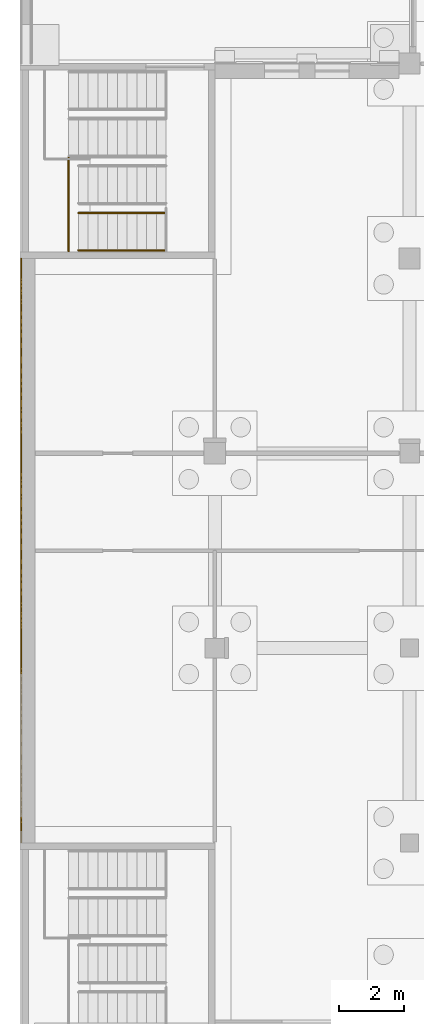
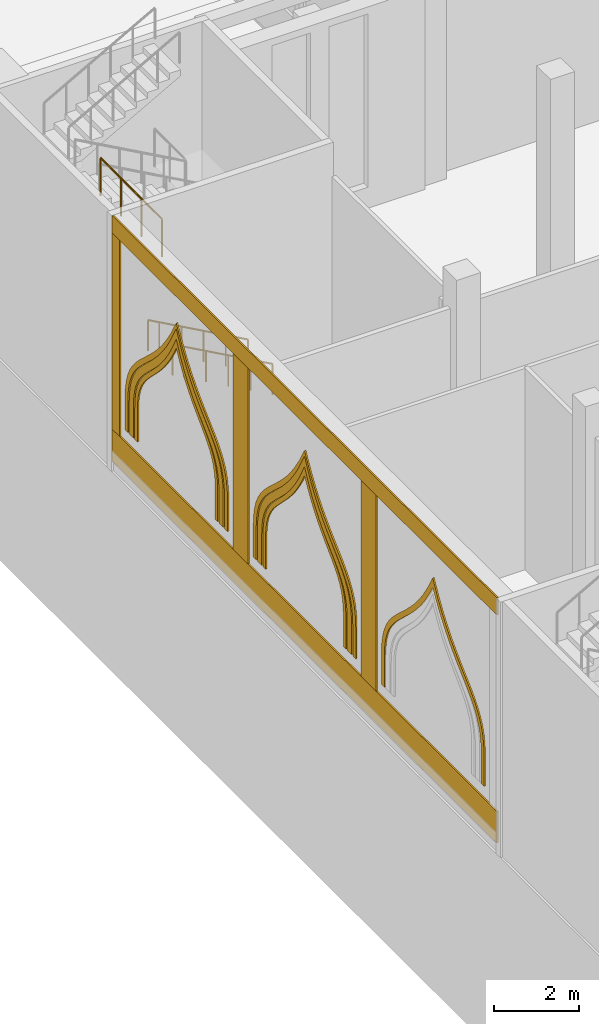
# One storey, part 61 of 95: 12 coverings, 3 railings.
"""IFC4 building model written with IfcOpenShell, lengths in metres."""

import ifcopenshell
import ifcopenshell.guid

model = None  # the IFC model being written
_history = None  # IfcOwnerHistory: only IFC2X3 demands one
_inside = {}  # id of a spatial element -> (the spatial element, [elements in it])
_under = {}  # id of a project, library or spatial element -> (it, [spatial elements below it])
_declared = {}  # id of a project -> (the project, [libraries it declares])
_typed = {}  # id of a type object -> (the type object, [elements of that type])
_made_of = {}  # id of a material, layer set ... -> (it, [elements and type objects made of it])


def new_model(schema):
    """Start an empty IFC model of exactly this schema.

    Asked for "IFC4X3", IfcOpenShell would pick the latest addendum, in which some entities
    have other attributes; the version numbers below select the first issue.
    IFC2X3 requires an IfcOwnerHistory on every rooted entity: one is made here for all.
    """
    global model, _history
    if schema == "IFC4X3":
        model = ifcopenshell.file(schema_version=(4, 3, 0, 0))
    else:
        model = ifcopenshell.file(schema=schema)
    _inside.clear()
    _under.clear()
    _declared.clear()
    _typed.clear()
    _made_of.clear()
    _history = None
    if model.schema == "IFC2X3":
        org = make("IfcOrganization", Name="unknown")
        user = make(
            "IfcPersonAndOrganization",
            ThePerson=make("IfcPerson", FamilyName="unknown"),
            TheOrganization=org,
        )
        app = make(
            "IfcApplication",
            ApplicationDeveloper=org,
            Version="unknown",
            ApplicationFullName="unknown",
            ApplicationIdentifier="unknown",
        )
        _history = make(
            "IfcOwnerHistory",
            OwningUser=user,
            OwningApplication=app,
            ChangeAction="ADDED",
            CreationDate=0,
        )
    return model


def make(cls, **values):
    """One entity of the class cls with the attributes given. An attribute that is None is left unset."""
    return model.create_entity(
        cls, **{name: value for name, value in values.items() if value is not None}
    )


def rooted(cls, **values):
    """An entity with a GlobalId (a new one), such as an element, a storey or a relation."""
    return make(cls, GlobalId=ifcopenshell.guid.new(), OwnerHistory=_history, **values)


def si_unit(unit_type, name, prefix=None):
    """IfcSIUnit, for example si_unit("LENGTHUNIT", "METRE", prefix="MILLI")."""
    return make("IfcSIUnit", UnitType=unit_type, Prefix=prefix, Name=name)


def assignment(units):
    """IfcUnitAssignment: the units of a project."""
    return None if units is None else make("IfcUnitAssignment", Units=units)


def point(xyz):
    """IfcCartesianPoint."""
    return None if xyz is None else make("IfcCartesianPoint", Coordinates=xyz)


def direction(xyz):
    """IfcDirection."""
    return None if xyz is None else make("IfcDirection", DirectionRatios=xyz)


def frame(location, z_axis=None, x_axis=None):
    """IfcAxis2Placement3D, a coordinate frame: its origin and axes. An axis left out is left unset."""
    return make(
        "IfcAxis2Placement3D",
        Location=point(location),
        Axis=direction(z_axis),
        RefDirection=direction(x_axis),
    )


def frame_2d(location, x_axis=None):
    """IfcAxis2Placement2D, a coordinate frame in the plane: its origin and x axis."""
    return make(
        "IfcAxis2Placement2D", Location=point(location), RefDirection=direction(x_axis)
    )


def origin():
    """The frame at (0, 0, 0) with its axes left unset."""
    return frame((0.0, 0.0, 0.0))


def origin_2d():
    """The frame at (0, 0) in the plane with its x axis left unset."""
    return frame_2d((0.0, 0.0))


def place(relative_to, where):
    """IfcLocalPlacement: puts the frame where relative to a parent placement (None: the world)."""
    return make(
        "IfcLocalPlacement", PlacementRelTo=relative_to, RelativePlacement=where
    )


def context(
    kind, dimensions, precision=None, world=None, true_north=None, identifier=None
):
    """IfcGeometricRepresentationContext, for example the 3D "Model" context."""
    return make(
        "IfcGeometricRepresentationContext",
        ContextIdentifier=identifier,
        ContextType=kind,
        CoordinateSpaceDimension=dimensions,
        Precision=precision,
        WorldCoordinateSystem=world,
        TrueNorth=true_north,
    )


def subcontext(parent, identifier, kind, view, scale=None):
    """IfcGeometricRepresentationSubContext, for example "Body" below "Model"."""
    return make(
        "IfcGeometricRepresentationSubContext",
        ContextIdentifier=identifier,
        ContextType=kind,
        ParentContext=parent,
        TargetScale=scale,
        TargetView=view,
    )


def project(units=None, contexts=None):
    """IfcProject with its units and contexts."""
    return rooted(
        "IfcProject",
        Name="project",
        RepresentationContexts=contexts,
        UnitsInContext=assignment(units),
    )


def spatial(cls, under=None, at=None, **own):
    """A site, building, storey or space (cls), placed at a placement, below another one or the project."""
    s = rooted(cls, ObjectPlacement=at, **own)
    if under is not None:
        _under.setdefault(under.id(), (under, []))[1].append(s)
    return s


def polyline(points):
    """IfcPolyline through the points."""
    return make("IfcPolyline", Points=[point(p) for p in points])


def profile(cls, at=None, kind="AREA", **sizes):
    """A parametric profile (cls). Its sizes go by their IFC names, for example OverallWidth=200.0."""
    return make(cls, ProfileType=kind, Position=at, **sizes)


def rectangle(**sizes):
    """IfcRectangleProfileDef."""
    return profile("IfcRectangleProfileDef", **sizes)


def circle(**sizes):
    """IfcCircleProfileDef."""
    return profile("IfcCircleProfileDef", **sizes)


def outline(outer, holes=None, kind="AREA"):
    """IfcArbitraryClosedProfileDef: a profile drawn as a closed curve; with holes, ...WithVoids."""
    if holes is None:
        return make("IfcArbitraryClosedProfileDef", ProfileType=kind, OuterCurve=outer)
    return make(
        "IfcArbitraryProfileDefWithVoids",
        ProfileType=kind,
        OuterCurve=outer,
        InnerCurves=holes,
    )


def extrude(swept, where, along, depth):
    """IfcExtrudedAreaSolid: the profile swept, set in the frame where, extruded along a direction by depth."""
    return make(
        "IfcExtrudedAreaSolid",
        SweptArea=swept,
        Position=where,
        ExtrudedDirection=direction(along),
        Depth=depth,
    )


def shape(context_of_items, identifier, shape_type, items):
    """IfcShapeRepresentation: the items that make up one representation, for example the "Body"."""
    return make(
        "IfcShapeRepresentation",
        ContextOfItems=context_of_items,
        RepresentationIdentifier=identifier,
        RepresentationType=shape_type,
        Items=items,
    )


def material(Name=None, Category=None):
    """IfcMaterial."""
    return make("IfcMaterial", Name=Name, Category=Category)


def layer(
    of_material, thickness, ventilated=None, Name=None, Category=None, Priority=None
):
    """IfcMaterialLayer: one layer of a wall or slab, of a material (None: an air gap)."""
    return make(
        "IfcMaterialLayer",
        Material=of_material,
        LayerThickness=thickness,
        IsVentilated=ventilated,
        Name=Name,
        Category=Category,
        Priority=Priority,
    )


def layer_set(layers, Name=None):
    """IfcMaterialLayerSet."""
    return make("IfcMaterialLayerSet", MaterialLayers=layers, LayerSetName=Name)


def made_of(thing, what):
    """Note that an element or type object is made of a material, layer set ...; save() writes the relation."""
    if what is not None:
        _made_of.setdefault(what.id(), (what, []))[1].append(thing)
    return thing


def type_object(cls, material=None, **own):
    """A type object (cls), such as IfcWallType, which elements share."""
    return made_of(rooted(cls, **own), material)


def element(
    cls,
    number,
    at=None,
    inside=None,
    cuts=None,
    type_object=None,
    material=None,
    context=None,
    identifier="Body",
    shape_type=None,
    held_by="IfcProductDefinitionShape",
    body=None,
    shapes=None,
    **own,
):
    """One element of the class cls, such as IfcWall. Its Tag is "e" and its number.

    at: its placement. inside: the storey or other place that contains it. cuts: it is an
    opening in that element (IfcRelVoidsElement). A single representation is given by context,
    identifier, shape_type and body (its items); several are given by shapes. held_by: the class
    of the entity that holds the representations. save() writes the other relations.
    """
    e = rooted(cls, Tag="e%d" % number, ObjectPlacement=at, **own)
    if body is not None:
        shapes = [shape(context, identifier, shape_type, body)]
    if shapes is not None:
        e.Representation = make(held_by, Representations=shapes)
    if inside is not None:
        _inside.setdefault(inside.id(), (inside, []))[1].append(e)
    if cuts is not None:
        rooted(
            "IfcRelVoidsElement", RelatingBuildingElement=cuts, RelatedOpeningElement=e
        )
    if type_object is not None:
        _typed.setdefault(type_object.id(), (type_object, []))[1].append(e)
    return made_of(e, material)


def aggregate(whole, parts):
    """IfcRelAggregates: a whole, such as a stair, and the parts it consists of."""
    return rooted("IfcRelAggregates", RelatingObject=whole, RelatedObjects=parts)


def save(model, path):
    """Write the relations noted so far, then the file.

    IfcRelAggregates (storeys below a building ...), IfcRelContainedInSpatialStructure (elements
    in a storey), IfcRelDefinesByType, IfcRelAssociatesMaterial and IfcRelDeclares: one each for
    every whole, place, type object, material and project.
    """
    for whole, parts in _under.values():
        aggregate(whole, parts)
    for where, things in _inside.values():
        rooted(
            "IfcRelContainedInSpatialStructure",
            RelatedElements=things,
            RelatingStructure=where,
        )
    for kind, things in _typed.values():
        rooted("IfcRelDefinesByType", RelatedObjects=things, RelatingType=kind)
    for what, things in _made_of.values():
        rooted("IfcRelAssociatesMaterial", RelatedObjects=things, RelatingMaterial=what)
    for by, libraries in _declared.values():
        rooted("IfcRelDeclares", RelatingContext=by, RelatedDefinitions=libraries)
    model.write(path)


model = new_model("IFC4")

# Units and contexts
model_context = context("Model", 3, precision=1e-05, world=origin(), true_north=direction((0.0, 1.0)))
body_context = subcontext(model_context, "Body", "Model", "MODEL_VIEW")
ifc_project = project(units=[si_unit("LENGTHUNIT", "METRE"), si_unit("AREAUNIT", "SQUARE_METRE"), si_unit("VOLUMEUNIT", "CUBIC_METRE"), si_unit("PLANEANGLEUNIT", "RADIAN"), si_unit("MASSUNIT", "GRAM", prefix="KILO")], contexts=[model_context])

# Site, building, storey
site_placement = place(None, origin())
site = spatial("IfcSite", under=ifc_project, at=site_placement, CompositionType="ELEMENT")
building_placement = place(site_placement, origin())
building = spatial("IfcBuilding", under=site, at=building_placement, Name="Saffron Lane Theatres", CompositionType="ELEMENT")
storey_placement = place(building_placement, origin())
storey = spatial("IfcBuildingStorey", under=building, at=storey_placement, Name="L00", CompositionType="ELEMENT", Elevation=0.0)

# Coverings
ifc_material_1 = material(Name="Face brick cladding, pale buff", Category="masonry")
ifc_layer_1 = layer(ifc_material_1, 0.0400390625)
ifc_layer_set_1 = layer_set([ifc_layer_1], Name="Face brick cladding, pale buff")
covering_type_1 = type_object("IfcCoveringType", Name="EX-FACE BRICK SKIN PALE BUFF 40", PredefinedType="CLADDING", material=ifc_layer_set_1)
covering_1_placement = place(storey_placement, frame((0.0400390625, 15.0, 0.0), z_axis=(0.0, 0.0, 1.0), x_axis=(0.0, 1.0, 0.0)))
element("IfcCovering", 1, at=covering_1_placement, inside=storey, type_object=covering_type_1, Name="Face brick cladding, pale buff L00", PredefinedType="CLADDING", context=body_context, shape_type="SweptSolid", body=[
    extrude(rectangle(XDim=18.0, YDim=0.0400390625, at=origin_2d()), origin(), (0.0, 0.0, 1.0), 0.89990234375),
])
covering_2_placement = place(storey_placement, frame((0.0400390625, 15.0, 6.5), z_axis=(0.0, 0.0, 1.0), x_axis=(0.0, 1.0, 0.0)))
element("IfcCovering", 2, at=covering_2_placement, inside=storey, type_object=covering_type_1, Name="Face brick cladding, pale buff L00", PredefinedType="CLADDING", context=body_context, shape_type="SweptSolid", body=[
    extrude(rectangle(XDim=18.0, YDim=0.0400390625, at=origin_2d()), origin(), (0.0, 0.0, 1.0), 0.5),
])
for number, where, z_axis, x_axis, name in (
    (3, (0.0400390625, 12.0, 0.89990234375), (0.0, 0.0, 1.0), (0.0, 1.0, 0.0), "Face brick cladding, pale buff L00"),
    (4, (0.0400390625, 18.0, 0.89990234375), (0.0, 0.0, 1.0), (0.0, 1.0, 0.0), "Face brick cladding, pale buff L00"),
):
    element("IfcCovering", number, at=place(storey_placement, frame(where, z_axis=z_axis, x_axis=x_axis)), inside=storey, type_object=covering_type_1, Name=name, PredefinedType="CLADDING", context=body_context, shape_type="SweptSolid", body=[
        extrude(rectangle(XDim=0.699951171875, YDim=0.0400390625, at=origin_2d()), origin(), (0.0, 0.0, 1.0), 5.60009765625),
    ])
covering_3_placement = place(storey_placement, frame((0.0400390625, 23.824951171875, 0.89990234375), z_axis=(0.0, 0.0, 1.0), x_axis=(0.0, 1.0, 0.0)))
element("IfcCovering", 5, at=covering_3_placement, inside=storey, type_object=covering_type_1, Name="Face brick cladding, pale buff L00", PredefinedType="CLADDING", context=body_context, shape_type="SweptSolid", body=[
    extrude(rectangle(XDim=0.35009765625, YDim=0.0400390625, at=origin_2d()), origin(), (0.0, 0.0, 1.0), 5.60009765625),
])
ifc_material_2 = material(Name="Face brick cladding, pale buff", Category="masonry")
ifc_layer_2 = layer(ifc_material_2, 0.0400390625)
ifc_layer_set_2 = layer_set([ifc_layer_2], Name="Face brick cladding, pale buff")
covering_type_2 = type_object("IfcCoveringType", Name="EX-NICHE FRAME RING FACE BRICK PALE BUFF", PredefinedType="CLADDING", material=ifc_layer_set_2)
covering_4_placement = place(storey_placement, frame((0.06005859375, 6.614990234375, 2.430908203125), z_axis=(1.0, 0.0, 0.0), x_axis=(0.0, -0.053339022878, -0.998576461088)))
element("IfcCovering", 6, at=covering_4_placement, inside=storey, type_object=covering_type_2, Name="Court wall niche ring", PredefinedType="CLADDING", context=body_context, shape_type="SweptSolid", body=[
    extrude(outline(polyline([(0.0, 0.0), (0.279206054433033, 1.734723475976807e-18), (1.1800214899113242, 0.04811711170243062), (1.1725597564862922, 0.18781054729892882), (0.2758888033904452, 0.13991481337699654), (0.00843690575031283, 0.1395647077260638), (-0.2243790825388541, 0.1682029230142515), (-0.43069185957335676, 0.2224611867047201), (-0.6160305328892671, 0.30057722919475627), (-0.7875656504799877, 0.3994786599183698), (-0.9511091796300574, 0.5181215662944259), (-1.1105357651958356, 0.6558100066021676), (-1.2729508440588138, 0.808252624869004), (-1.4431391222887202, 0.9734824250780479), (-1.624692384993448, 1.1500851084869645), (-1.8237799633963538, 1.3345527872566518), (-2.047341634631902, 1.5240698861248223), (-2.297863789258882, 1.7148362644254675), (-2.5814152098655345, 1.9060387804363907), (-2.9039214345938964, 2.0941825685408717), (-3.1580496774254834, 2.2197223427612474), (-2.918740723664902, 2.371619095083306), (-2.618111832538728, 2.59304768359683), (-2.356541923313321, 2.8133678888544744), (-2.1277668800647063, 3.029735956358632), (-1.9256658313151134, 3.241989855506219), (-1.7473617198342861, 3.4466159345236367), (-1.5856543240401142, 3.6415539070467675), (-1.4340357349273027, 3.8239730408003876), (-1.288783945164136, 3.9928497037136292), (-1.1449319375675344, 4.146737788664896), (-0.9949575641397739, 4.282127273024531), (-0.8349340911349664, 4.3987389261880105), (-0.6589714179342793, 4.496153902248548), (-0.45961250765190054, 4.572081143983088), (-0.2311719860831712, 4.6253574040185015), (0.03479537820538417, 4.653499920939942), (0.9314663313012312, 4.701395654861874), (0.9240045978761993, 4.8410890904583725), (0.023189162397908192, 4.792971978755942), (-0.2544281809044897, 4.763229222834872), (-0.5007531238223298, 4.706063801367329), (-0.7175963957039121, 4.623334903447199), (-0.9104907332292509, 4.517925350239234), (-1.0838634785292576, 4.390332120984516), (-1.242454507072017, 4.2469032288758095), (-1.3931030473568784, 4.087517844767733), (-1.5410589763153895, 3.91434043280346), (-1.693600648863953, 3.73089403783503), (-1.8534228111194742, 3.537279208497558), (-2.0299719112854735, 3.336414203479002), (-2.2261995107825587, 3.1286303422734156), (-2.4491401714458125, 2.9174636919552195), (-2.705132513389561, 2.7025756747424743), (-2.9980417883917236, 2.487671646600571), (-3.441581031000924, 2.204577498130685), (-2.9704086324965795, 1.9703427280390193), (-2.6562731350113418, 1.7878640336289293), (-2.3788462150264023, 1.6014686389885575), (-2.1346793318800734, 1.4152525667547606), (-1.9174338654580296, 1.2295543947094778), (-1.7204919650414197, 1.048639434380536), (-1.540954158099165, 0.8731515385991627), (-1.3697386186544482, 0.7069986549543668), (-1.204176645035129, 0.5505678209736735), (-1.0374065934410366, 0.4081373704072918), (-0.864439031388268, 0.28241870073845177), (-0.6784607748222391, 0.1740202272751767), (-0.4754351482835062, 0.08975876321599356), (-0.25101294297545185, 0.03060008780774376), (0.0, 0.0)])), origin(), (0.0, 0.0, -1.0), 0.0400390625),
])
covering_5_placement = place(storey_placement, frame((0.06005859375, 13.072021484375, 2.39404296875), z_axis=(1.0, 0.0, 0.0), x_axis=(0.0, -0.049137358924, -0.998792030384)))
element("IfcCovering", 7, at=covering_5_placement, inside=storey, type_object=covering_type_2, Name="Court wall niche ring", PredefinedType="CLADDING", context=body_context, shape_type="SweptSolid", body=[
    extrude(outline(polyline([(0.0, 0.0), (0.2434581525511307, -1.734723475976807e-18), (1.1432488244543841, 0.04426681016391508), (1.137358579524714, 0.16399505404047265), (0.24049405614797534, 0.11987220098278169), (0.007033577729103016, 0.1203640544290474), (-0.1962583387604046, 0.14360602715893483), (-0.37560171753947574, 0.18684775500352957), (-0.5368488556611398, 0.24980132375038339), (-0.6850005487916107, 0.3297763513581751), (-0.8268604839750515, 0.4259492464912962), (-0.9645273012021993, 0.5362612756357352), (-1.1047806946661802, 0.659401156034798), (-1.2514382207570491, 0.7934700249063853), (-1.4085252922988492, 0.9358254859112508), (-1.580103311392178, 1.0845566798417767), (-1.7729039865280876, 1.2373769410990973), (-1.989745498403424, 1.3919477011821022), (-2.2357006212375135, 1.5470416523127277), (-2.5144789435907433, 1.698565320313989), (-2.7265625262103663, 1.7961721555341075), (-2.525083783749253, 1.914124928433901), (-2.2625246286972733, 2.0922806610866234), (-2.032932630270658, 2.2697922591364956), (-1.8323582713986466, 2.445876282549646), (-1.6554888493515392, 2.61688312489328), (-1.4993382334752277, 2.7817375147209065), (-1.3569827724703623, 2.9388245862627063), (-1.2241931142790827, 3.0866413587786963), (-1.0967039175669735, 3.2229533143972655), (-0.9705296759867175, 3.346245475952912), (-0.8387947239410392, 3.4558783605179877), (-0.6992084786309031, 3.5500091702378174), (-0.5449192673100712, 3.628486113605838), (-0.37068636580195613, 3.6891226584525136), (-0.17065747705352846, 3.7322067189902914), (0.06162735166451358, 3.7556117451772284), (0.9584918750412523, 3.7997345982349193), (0.9526016301115823, 3.919462842111477), (0.052810958208328956, 3.8751960319475622), (-0.18947154464197147, 3.851299152314359), (-0.40351152392118117, 3.804836996280526), (-0.5923670888365202, 3.738347909555811), (-0.7604994407308727, 3.653079030744135), (-0.9114543802325443, 3.551544712704208), (-1.050936330088171, 3.4354198033334438), (-1.1829667859216257, 3.3069508169289725), (-1.3132261776285068, 3.167324909967122), (-1.4459678501177116, 3.0185327546089598), (-1.5864685168423833, 2.863492420155653), (-1.7407643384385012, 2.700684767416518), (-1.913692322640197, 2.5340272413859313), (-2.108654312969553, 2.3631080463960874), (-2.332354107866413, 2.1900417360634106), (-2.5892529086736626, 2.016075448991823), (-2.984307442254198, 1.7834919337608668), (-2.5683311425690913, 1.5908085298050276), (-2.2955970600771893, 1.4428984789600046), (-2.0559900049425646, 1.292625377112813), (-1.845192732928556, 1.1416682341860458), (-1.656741374105693, 0.9927894107741371), (-1.4872100921008569, 0.8459130111238046), (-1.3321697576475495, 0.7054123443991328), (-1.1854642458546054, 0.5703680926853739), (-1.0421287503323673, 0.4442021751554778), (-0.8981258618312739, 0.32931314243814785), (-0.7479191075619507, 0.22743998658357098), (-0.5877269204108985, 0.14121310750547483), (-0.41203682043977996, 0.07285918867513211), (-0.2175189426796258, 0.024253100023604444), (0.0, 0.0)])), origin(), (0.0, 0.0, -1.0), 0.0400390625),
])
covering_6_placement = place(storey_placement, frame((0.06005859375, 12.81396484375, 2.416015625), z_axis=(1.0, 0.0, 0.0), x_axis=(0.0, -0.052850824381, -0.998602418564)))
element("IfcCovering", 8, at=covering_6_placement, inside=storey, type_object=covering_type_2, Name="Court wall niche ring", PredefinedType="CLADDING", context=body_context, shape_type="SweptSolid", body=[
    extrude(outline(polyline([(0.0, 0.0), (0.2633074467244505, 0.0), (1.1651214961065233, 0.0477283201622824), (1.1545539118370154, 0.2474000439914031), (0.2588348479198121, 0.19999429966152327), (0.011425975537206378, 0.1998577991513908), (-0.20210156873088145, 0.22474028020240072), (-0.3899079347837127, 0.27176504549653774), (-0.5587937002753489, 0.34008321126432145), (-0.7155078307266671, 0.42787069606189243), (-0.8642967823061162, 0.5322134516853781), (-1.0120772599674226, 0.6544567891326514), (-1.1623127094900663, 0.7907501716253488), (-1.3195708046608676, 0.9396294444378704), (-1.4900871060969219, 1.09880873335576), (-1.6761963837178078, 1.2662086126972976), (-1.8854937703858208, 1.437515394699492), (-2.1200444305353527, 1.6101749578767304), (-2.3866489418204653, 1.7833384184595322), (-2.689040355505825, 1.9536299354734277), (-2.8646160042079827, 2.0374853906507653), (-2.6988724668774546, 2.1394050924426464), (-2.4161452759353548, 2.3406638893671876), (-2.1693082116598714, 2.5410011380715813), (-1.9542927439206381, 2.737453894646832), (-1.76424668293041, 2.9298958451880424), (-1.596846803588872, 3.116005122808928), (-1.4440334638350705, 3.29131863620307), (-1.303420281616241, 3.456940613377808), (-1.168410411382998, 3.608330544826945), (-1.03430714901556, 3.7445145910901334), (-0.8974147941351174, 3.86495489941103), (-0.7508424478545355, 3.968793757628952), (-0.590111399406036, 4.054556824413066), (-0.40831784686918837, 4.121142588184094), (-0.1986096004567468, 4.168424735037138), (0.04743155039647204, 4.194403973918316), (0.9431506143136754, 4.241809718248196), (0.9325830300441676, 4.441481442077317), (0.030768980662094908, 4.393753121915035), (-0.23106752026659994, 4.36595998819523), (-0.46470546058718654, 4.313499650348356), (-0.6719159513963089, 4.237500784234314), (-0.8559587063687718, 4.139502246350417), (-1.020915158668237, 4.022710780024254), (-1.1723424410032313, 3.890499509802235), (-1.3147450702081254, 3.7448303758523798), (-1.4536414698915574, 3.5883451044653136), (-1.596192144425849, 3.422376103605612), (-1.7461315032896978, 3.2481926242854025), (-1.9096577562143424, 3.0674224860210404), (-2.0932000093163197, 2.881436805876991), (-2.300531381174216, 2.6922362331211653), (-2.536527860159927, 2.499562707087641), (-2.809864359290527, 2.3056464152155973), (-3.2820006088422375, 2.015395397647838), (-2.781864777037985, 1.7766016768649355), (-2.489586625028707, 1.6126204222398495), (-2.234571074964541, 1.4459336052646754), (-2.008427080560928, 1.2796746257093192), (-1.806278653445971, 1.1141015442397035), (-1.6245849296404142, 0.9516021011226222), (-1.4570974454938663, 0.7942183711539379), (-1.297824439807826, 0.6442233255148111), (-1.1431863395031492, 0.5032733062162519), (-0.9862032826736595, 0.3734490971540108), (-0.8216665185098254, 0.25796015808373945), (-0.6453037847766058, 0.15923293837212055), (-0.45194503976435696, 0.08120829603058993), (-0.23787013524170816, 0.02750587145221218), (0.0, 0.0)])), origin(), (0.0, 0.0, -1.0), 0.0400390625),
])
covering_7_placement = place(storey_placement, frame((0.06005859375, 12.614990234375, 2.430908203125), z_axis=(1.0, 0.0, 0.0), x_axis=(0.0, -0.053339022878, -0.998576461088)))
element("IfcCovering", 9, at=covering_7_placement, inside=storey, type_object=covering_type_2, Name="Court wall niche ring", PredefinedType="CLADDING", context=body_context, shape_type="SweptSolid", body=[
    extrude(outline(polyline([(0.0, 0.0), (0.279206054433033, 1.734723475976807e-18), (1.1800214899113242, 0.04811711170243062), (1.1725597564862922, 0.18781054729892882), (0.2758888033904452, 0.13991481337699654), (0.00843690575031283, 0.1395647077260638), (-0.2243790825388541, 0.1682029230142515), (-0.43069185957335676, 0.2224611867047201), (-0.6160305328892671, 0.30057722919475627), (-0.7875656504799877, 0.3994786599183698), (-0.9511091796300574, 0.5181215662944259), (-1.1105357651958356, 0.6558100066021676), (-1.2729508440588138, 0.808252624869004), (-1.4431391222887202, 0.9734824250780479), (-1.624692384993448, 1.1500851084869645), (-1.8237799633963538, 1.3345527872566518), (-2.047341634631902, 1.5240698861248223), (-2.297863789258882, 1.7148362644254675), (-2.5814152098655345, 1.9060387804363907), (-2.9039214345938964, 2.0941825685408717), (-3.1580496774254834, 2.2197223427612474), (-2.918740723664902, 2.371619095083306), (-2.618111832538728, 2.59304768359683), (-2.356541923313321, 2.8133678888544744), (-2.1277668800647063, 3.029735956358632), (-1.9256658313151134, 3.241989855506219), (-1.7473617198342861, 3.4466159345236367), (-1.5856543240401142, 3.6415539070467675), (-1.4340357349273027, 3.8239730408003876), (-1.288783945164136, 3.9928497037136292), (-1.1449319375675344, 4.146737788664896), (-0.9949575641397739, 4.282127273024531), (-0.8349340911349664, 4.3987389261880105), (-0.6589714179342793, 4.496153902248548), (-0.45961250765190054, 4.572081143983088), (-0.2311719860831712, 4.6253574040185015), (0.03479537820538417, 4.653499920939942), (0.9314663313012312, 4.701395654861874), (0.9240045978761993, 4.8410890904583725), (0.023189162397908192, 4.792971978755942), (-0.2544281809044897, 4.763229222834872), (-0.5007531238223298, 4.706063801367329), (-0.7175963957039121, 4.623334903447199), (-0.9104386443397219, 4.516950177913953), (-1.0838634785292576, 4.390332120984516), (-1.242454507072017, 4.2469032288758095), (-1.3930509584673494, 4.086542672442452), (-1.5410589763153895, 3.91434043280346), (-1.693600648863953, 3.73089403783503), (-1.8534228111194742, 3.537279208497558), (-2.0299719112854735, 3.336414203479002), (-2.2261995107825587, 3.1286303422734156), (-2.4491401714458125, 2.9174636919552195), (-2.705132513389561, 2.7025756747424743), (-2.9980417883917236, 2.487671646600571), (-3.441581031000924, 2.204577498130685), (-2.9704086324965795, 1.9703427280390193), (-2.6562731350113418, 1.7878640336289293), (-2.3788462150264023, 1.6014686389885575), (-2.1346793318800734, 1.4152525667547606), (-1.9174338654580296, 1.2295543947094778), (-1.7204919650414197, 1.048639434380536), (-1.540954158099165, 0.8731515385991627), (-1.3697386186544482, 0.7069986549543668), (-1.204176645035129, 0.5505678209736735), (-1.0374065934410366, 0.4081373704072918), (-0.864439031388268, 0.28241870073845177), (-0.6784607748222391, 0.1740202272751767), (-0.4754351482835062, 0.08975876321599356), (-0.25101294297545185, 0.03060008780774376), (0.0, 0.0)])), origin(), (0.0, 0.0, -1.0), 0.0400390625),
])
covering_8_placement = place(storey_placement, frame((0.06005859375, 19.072021484375, 2.39404296875), z_axis=(1.0, 0.0, 0.0), x_axis=(0.0, -0.049137358924, -0.998792030384)))
element("IfcCovering", 10, at=covering_8_placement, inside=storey, type_object=covering_type_2, Name="Court wall niche ring", PredefinedType="CLADDING", context=body_context, shape_type="SweptSolid", body=[
    extrude(outline(polyline([(0.0, 0.0), (0.2434581525511307, -1.734723475976807e-18), (1.1432488244543841, 0.04426681016391508), (1.137358579524714, 0.16399505404047265), (0.24049405614797534, 0.11987220098278169), (0.007033577729103016, 0.1203640544290474), (-0.1962583387604046, 0.14360602715893483), (-0.37560171753947574, 0.18684775500352957), (-0.5368488556611398, 0.24980132375038339), (-0.6850005487916107, 0.3297763513581751), (-0.8268604839750515, 0.4259492464912962), (-0.9645273012021993, 0.5362612756357352), (-1.1047806946661802, 0.659401156034798), (-1.2514382207570491, 0.7934700249063853), (-1.4085252922988492, 0.9358254859112508), (-1.580103311392178, 1.0845566798417767), (-1.7729039865280876, 1.2373769410990973), (-1.9897934841054987, 1.3929230840242737), (-2.2357006212375135, 1.5470416523127277), (-2.5144789435907433, 1.698565320313989), (-2.7265625262103663, 1.7961721555341075), (-2.525083783749253, 1.914124928433901), (-2.2625246286972733, 2.0922806610866234), (-2.032932630270658, 2.2697922591364956), (-1.8323582713986466, 2.445876282549646), (-1.6554888493515392, 2.61688312489328), (-1.4993382334752277, 2.7817375147209065), (-1.3569827724703623, 2.9388245862627063), (-1.2241931142790827, 3.0866413587786963), (-1.0967039175669735, 3.2229533143972655), (-0.9705296759867175, 3.346245475952912), (-0.8387947239410392, 3.4558783605179877), (-0.6992084786309031, 3.5500091702378174), (-0.5449192673100712, 3.628486113605838), (-0.37068636580195613, 3.6891226584525136), (-0.17065747705352846, 3.7322067189902914), (0.06162735166451358, 3.7556117451772284), (0.9584918750412523, 3.7997345982349193), (0.9526016301115823, 3.919462842111477), (0.052810958208328956, 3.8751960319475622), (-0.18947154464197147, 3.851299152314359), (-0.40351152392118117, 3.804836996280526), (-0.5923670888365202, 3.738347909555811), (-0.7604994407308727, 3.653079030744135), (-0.9114543802325443, 3.551544712704208), (-1.050936330088171, 3.4354198033334438), (-1.1829667859216257, 3.3069508169289725), (-1.3132261776285068, 3.167324909967122), (-1.4459678501177116, 3.0185327546089598), (-1.5864685168423833, 2.863492420155653), (-1.7407643384385012, 2.700684767416518), (-1.913692322640197, 2.5340272413859313), (-2.108654312969553, 2.3631080463960874), (-2.332354107866413, 2.1900417360634106), (-2.5892529086736626, 2.016075448991823), (-2.984307442254198, 1.7834919337608668), (-2.5683311425690913, 1.5908085298050276), (-2.2955970600771893, 1.4428984789600046), (-2.0559900049425646, 1.292625377112813), (-1.845192732928556, 1.1416682341860458), (-1.656741374105693, 0.9927894107741371), (-1.4872100921008569, 0.8459130111238046), (-1.3321697576475495, 0.7054123443991328), (-1.1854642458546054, 0.5703680926853739), (-1.0421287503323673, 0.4442021751554778), (-0.8981258618312739, 0.32931314243814785), (-0.7479191075619507, 0.22743998658357098), (-0.5876789347088237, 0.14023772466330328), (-0.41203682043977996, 0.07285918867513211), (-0.2175189426796258, 0.024253100023604444), (0.0, 0.0)])), origin(), (0.0, 0.0, -1.0), 0.0400390625),
])
covering_9_placement = place(storey_placement, frame((0.06005859375, 18.81396484375, 2.416015625), z_axis=(1.0, 0.0, 0.0), x_axis=(0.0, -0.052850824381, -0.998602418564)))
element("IfcCovering", 11, at=covering_9_placement, inside=storey, type_object=covering_type_2, Name="Court wall niche ring", PredefinedType="CLADDING", context=body_context, shape_type="SweptSolid", body=[
    extrude(outline(polyline([(0.0, 0.0), (0.2633074467244505, 0.0), (1.1651214961065233, 0.0477283201622824), (1.1545539118370154, 0.2474000439914031), (0.2588348479198121, 0.19999429966152327), (0.011425975537206378, 0.1998577991513908), (-0.20210156873088145, 0.22474028020240072), (-0.3899079347837127, 0.27176504549653774), (-0.5587937002753489, 0.34008321126432145), (-0.7155078307266671, 0.42787069606189243), (-0.8643483944393006, 0.5331886493597573), (-1.0120772599674226, 0.6544567891326514), (-1.1623127094900663, 0.7907501716253488), (-1.3195708046608676, 0.9396294444378704), (-1.4900871060969219, 1.09880873335576), (-1.6761963837178078, 1.2662086126972976), (-1.8854937703858208, 1.437515394699492), (-2.1200444305353527, 1.6101749578767304), (-2.3866489418204653, 1.7833384184595322), (-2.689040355505825, 1.9536299354734277), (-2.8646160042079827, 2.0374853906507653), (-2.6988724668774546, 2.1394050924426464), (-2.4161452759353548, 2.3406638893671876), (-2.1693082116598714, 2.5410011380715813), (-1.9542927439206381, 2.737453894646832), (-1.76424668293041, 2.9298958451880424), (-1.596846803588872, 3.116005122808928), (-1.4440334638350705, 3.29131863620307), (-1.303420281616241, 3.456940613377808), (-1.168410411382998, 3.608330544826945), (-1.03430714901556, 3.7445145910901334), (-0.8974147941351174, 3.86495489941103), (-0.7508424478545355, 3.968793757628952), (-0.590111399406036, 4.054556824413066), (-0.40831784686918837, 4.121142588184094), (-0.1986096004567468, 4.168424735037138), (0.04743155039647204, 4.194403973918316), (0.9431506143136754, 4.241809718248196), (0.9325830300441676, 4.441481442077317), (0.030768980662094908, 4.393753121915035), (-0.23106752026659994, 4.36595998819523), (-0.46470546058718654, 4.313499650348356), (-0.6719159513963089, 4.237500784234314), (-0.8559587063687718, 4.139502246350417), (-1.020915158668237, 4.022710780024254), (-1.1723424410032313, 3.890499509802235), (-1.3147450702081254, 3.7448303758523798), (-1.4536414698915574, 3.5883451044653136), (-1.596192144425849, 3.422376103605612), (-1.7461315032896978, 3.2481926242854025), (-1.9096577562143424, 3.0674224860210404), (-2.0932000093163197, 2.881436805876991), (-2.300531381174216, 2.6922362331211653), (-2.536527860159927, 2.499562707087641), (-2.809864359290527, 2.3056464152155973), (-3.2820006088422375, 2.015395397647838), (-2.781864777037985, 1.7766016768649355), (-2.489586625028707, 1.6126204222398495), (-2.234571074964541, 1.4459336052646754), (-2.008427080560928, 1.2796746257093192), (-1.806278653445971, 1.1141015442397035), (-1.6245849296404142, 0.9516021011226222), (-1.4570974454938663, 0.7942183711539379), (-1.297824439807826, 0.6442233255148111), (-1.1431863395031492, 0.5032733062162519), (-0.9862032826736595, 0.3734490971540108), (-0.8216665185098254, 0.25796015808373945), (-0.6453037847766058, 0.15923293837212055), (-0.45194503976435696, 0.08120829603058993), (-0.23787013524170816, 0.02750587145221218), (0.0, 0.0)])), origin(), (0.0, 0.0, -1.0), 0.0400390625),
])
covering_10_placement = place(storey_placement, frame((0.06005859375, 18.614990234375, 2.430908203125), z_axis=(1.0, 0.0, 0.0), x_axis=(0.0, -0.053339022878, -0.998576461088)))
element("IfcCovering", 12, at=covering_10_placement, inside=storey, type_object=covering_type_2, Name="Court wall niche ring", PredefinedType="CLADDING", context=body_context, shape_type="SweptSolid", body=[
    extrude(outline(polyline([(0.0, 0.0), (0.279206054433033, 1.734723475976807e-18), (1.1800214899113242, 0.04811711170243062), (1.1725597564862922, 0.18781054729892882), (0.2758888033904452, 0.13991481337699654), (0.00843690575031283, 0.1395647077260638), (-0.2243790825388541, 0.1682029230142515), (-0.43069185957335676, 0.2224611867047201), (-0.6160305328892671, 0.30057722919475627), (-0.7875656504799877, 0.3994786599183698), (-0.9511091796300574, 0.5181215662944259), (-1.1105357651958356, 0.6558100066021676), (-1.2729508440588138, 0.808252624869004), (-1.4431391222887202, 0.9734824250780479), (-1.624692384993448, 1.1500851084869645), (-1.8237799633963538, 1.3345527872566518), (-2.047341634631902, 1.5240698861248223), (-2.297863789258882, 1.7148362644254675), (-2.5814152098655345, 1.9060387804363907), (-2.9039214345938964, 2.0941825685408717), (-3.1580496774254834, 2.2197223427612474), (-2.918740723664902, 2.371619095083306), (-2.618111832538728, 2.59304768359683), (-2.356541923313321, 2.8133678888544744), (-2.1277668800647063, 3.029735956358632), (-1.9256658313151134, 3.241989855506219), (-1.7473617198342861, 3.4466159345236367), (-1.5856543240401142, 3.6415539070467675), (-1.4340357349273027, 3.8239730408003876), (-1.288783945164136, 3.9928497037136292), (-1.1449319375675344, 4.146737788664896), (-0.9949575641397739, 4.282127273024531), (-0.8349340911349664, 4.3987389261880105), (-0.6589714179342793, 4.496153902248548), (-0.45961250765190054, 4.572081143983088), (-0.2311719860831712, 4.6253574040185015), (0.03479537820538417, 4.653499920939942), (0.9314663313012312, 4.701395654861874), (0.9240045978761993, 4.8410890904583725), (0.023189162397908192, 4.792971978755942), (-0.2544281809044897, 4.763229222834872), (-0.5007531238223298, 4.706063801367329), (-0.7175963957039121, 4.623334903447199), (-0.9104386443397219, 4.516950177913953), (-1.0838634785292576, 4.390332120984516), (-1.242454507072017, 4.2469032288758095), (-1.3930509584673494, 4.086542672442452), (-1.5410589763153895, 3.91434043280346), (-1.693600648863953, 3.73089403783503), (-1.8534228111194742, 3.537279208497558), (-2.0299719112854735, 3.336414203479002), (-2.2261995107825587, 3.1286303422734156), (-2.4491401714458125, 2.9174636919552195), (-2.705132513389561, 2.7025756747424743), (-2.9980417883917236, 2.487671646600571), (-3.441581031000924, 2.204577498130685), (-2.9704086324965795, 1.9703427280390193), (-2.6562731350113418, 1.7878640336289293), (-2.3788462150264023, 1.6014686389885575), (-2.1346793318800734, 1.4152525667547606), (-1.9174338654580296, 1.2295543947094778), (-1.7204919650414197, 1.048639434380536), (-1.540954158099165, 0.8731515385991627), (-1.3697386186544482, 0.7069986549543668), (-1.204176645035129, 0.5505678209736735), (-1.0374065934410366, 0.4081373704072918), (-0.864439031388268, 0.28241870073845177), (-0.6784607748222391, 0.1740202272751767), (-0.4754351482835062, 0.08975876321599356), (-0.25101294297545185, 0.03060008780774376), (0.0, 0.0)])), origin(), (0.0, 0.0, -1.0), 0.0400390625),
])

# Railings
ifc_material_3 = material(Name="Steel Grade 350", Category="steel")
railing_type_1 = type_object("IfcRailingType", Name="VC-GUARD 1100", PredefinedType="GUARDRAIL", material=ifc_material_3)
railing_1_placement = place(storey_placement, frame((1.5, 24.22998046875, 5.166748046875)))
element("IfcRailing", 13, at=railing_1_placement, inside=storey, type_object=railing_type_1, Name="Workshop North Stair landing guard 1N2s", PredefinedType="GUARDRAIL", context=body_context, shape_type="SweptSolid", body=[
    extrude(circle(Radius=0.02392578125, at=origin_2d()), frame((0.0, 0.0, 1.076171875), z_axis=(0.0, 1.0, 0.0), x_axis=(-1.0, 0.0, 0.0)), (0.0, 0.0, 1.0), 2.8701171875),
    extrude(circle(Radius=0.02099609375, at=origin_2d()), origin(), (0.0, 0.0, 1.0), 1.052001953125),
    extrude(circle(Radius=0.02099609375, at=origin_2d()), frame((0.0, 0.956787109375, 0.0)), (0.0, 0.0, 1.0), 1.052001953125),
    extrude(circle(Radius=0.02099609375, at=origin_2d()), frame((0.0, 1.913330078125, 0.0)), (0.0, 0.0, 1.0), 1.052001953125),
    extrude(circle(Radius=0.02099609375, at=origin_2d()), frame((0.0, 2.8701171875, 0.0)), (0.0, 0.0, 1.0), 1.052001953125),
])
ifc_material_4 = material(Name="Steel Grade 350", Category="steel")
railing_type_2 = type_object("IfcRailingType", Name="VC-HANDRAIL 900", PredefinedType="HANDRAIL", material=ifc_material_4)
railing_2_placement = place(storey_placement, frame((4.5, 24.25, 0.166748046875)))
element("IfcRailing", 14, at=railing_2_placement, inside=storey, type_object=railing_type_2, Name="Workshop North Stair handrail 1.1a", PredefinedType="HANDRAIL", context=body_context, shape_type="SweptSolid", body=[
    extrude(circle(Radius=0.02392578125, at=origin_2d()), frame((0.0, 0.0, 0.8759765625), z_axis=(-0.874241147926, 0.0, 0.485491931212), x_axis=(0.0, -1.0, 0.0)), (0.0, 0.0, 1.0), 0.6865234375),
    extrude(circle(Radius=0.02392578125, at=origin_2d()), frame((-0.60009765625, 0.0, 1.208984375), z_axis=(-0.874157276122, 0.0, 0.485642931179), x_axis=(0.0, -1.0, 0.0)), (0.0, 0.0, 1.0), 0.686279296875),
    extrude(circle(Radius=0.02392578125, at=origin_2d()), frame((-1.199951171875, 0.0, 1.54248046875), z_axis=(-0.874090171491, 0.0, 0.485763699861), x_axis=(0.0, -1.0, 0.0)), (0.0, 0.0, 1.0), 0.6865234375),
    extrude(circle(Radius=0.02392578125, at=origin_2d()), frame((-1.800048828125, 0.0, 1.8759765625), z_axis=(-0.874157276122, 0.0, 0.485642931179), x_axis=(0.0, -1.0, 0.0)), (0.0, 0.0, 1.0), 0.686279296875),
    extrude(circle(Radius=0.02392578125, at=origin_2d()), frame((-2.39990234375, 0.0, 2.208984375), z_axis=(-0.874090171491, 0.0, 0.485763699861), x_axis=(0.0, -1.0, 0.0)), (0.0, 0.0, 1.0), 0.34326171875),
    extrude(circle(Radius=0.02099609375, at=origin_2d()), origin(), (0.0, 0.0, 1.0), 0.851806640625),
    extrude(circle(Radius=0.02099609375, at=origin_2d()), frame((-0.60009765625, 0.0, 0.333251953125)), (0.0, 0.0, 1.0), 0.851806640625),
    extrude(circle(Radius=0.02099609375, at=origin_2d()), frame((-1.199951171875, 0.0, 0.66650390625)), (0.0, 0.0, 1.0), 0.851806640625),
    extrude(circle(Radius=0.02099609375, at=origin_2d()), frame((-1.800048828125, 0.0, 1.0)), (0.0, 0.0, 1.0), 0.851806640625),
    extrude(circle(Radius=0.02099609375, at=origin_2d()), frame((-2.39990234375, 0.0, 1.333251953125)), (0.0, 0.0, 1.0), 0.851806640625),
    extrude(circle(Radius=0.02099609375, at=origin_2d()), frame((-2.699951171875, 0.0, 1.5)), (0.0, 0.0, 1.0), 0.851806640625),
])
railing_3_placement = place(storey_placement, frame((4.5, 25.39990234375, 0.166748046875)))
element("IfcRailing", 15, at=railing_3_placement, inside=storey, type_object=railing_type_2, Name="Workshop North Stair handrail 1.1b", PredefinedType="HANDRAIL", context=body_context, shape_type="SweptSolid", body=[
    extrude(circle(Radius=0.02392578125, at=origin_2d()), frame((0.0, 0.0, 0.8759765625), z_axis=(-0.874241147926, 0.0, 0.485491931212), x_axis=(0.0, -1.0, 0.0)), (0.0, 0.0, 1.0), 0.6865234375),
    extrude(circle(Radius=0.02392578125, at=origin_2d()), frame((-0.60009765625, 0.0, 1.208984375), z_axis=(-0.874157276122, 0.0, 0.485642931179), x_axis=(0.0, -1.0, 0.0)), (0.0, 0.0, 1.0), 0.686279296875),
    extrude(circle(Radius=0.02392578125, at=origin_2d()), frame((-1.199951171875, 0.0, 1.54248046875), z_axis=(-0.874090171491, 0.0, 0.485763699861), x_axis=(0.0, -1.0, 0.0)), (0.0, 0.0, 1.0), 0.6865234375),
    extrude(circle(Radius=0.02392578125, at=origin_2d()), frame((-1.800048828125, 0.0, 1.8759765625), z_axis=(-0.874157276122, 0.0, 0.485642931179), x_axis=(0.0, -1.0, 0.0)), (0.0, 0.0, 1.0), 0.686279296875),
    extrude(circle(Radius=0.02392578125, at=origin_2d()), frame((-2.39990234375, 0.0, 2.208984375), z_axis=(-0.874090171491, 0.0, 0.485763699861), x_axis=(0.0, -1.0, 0.0)), (0.0, 0.0, 1.0), 0.34326171875),
    extrude(circle(Radius=0.02099609375, at=origin_2d()), origin(), (0.0, 0.0, 1.0), 0.851806640625),
    extrude(circle(Radius=0.02099609375, at=origin_2d()), frame((-0.60009765625, 0.0, 0.333251953125)), (0.0, 0.0, 1.0), 0.851806640625),
    extrude(circle(Radius=0.02099609375, at=origin_2d()), frame((-1.199951171875, 0.0, 0.66650390625)), (0.0, 0.0, 1.0), 0.851806640625),
    extrude(circle(Radius=0.02099609375, at=origin_2d()), frame((-1.800048828125, 0.0, 1.0)), (0.0, 0.0, 1.0), 0.851806640625),
    extrude(circle(Radius=0.02099609375, at=origin_2d()), frame((-2.39990234375, 0.0, 1.333251953125)), (0.0, 0.0, 1.0), 0.851806640625),
    extrude(circle(Radius=0.02099609375, at=origin_2d()), frame((-2.699951171875, 0.0, 1.5)), (0.0, 0.0, 1.0), 0.851806640625),
])

save(model, "model.ifc")
